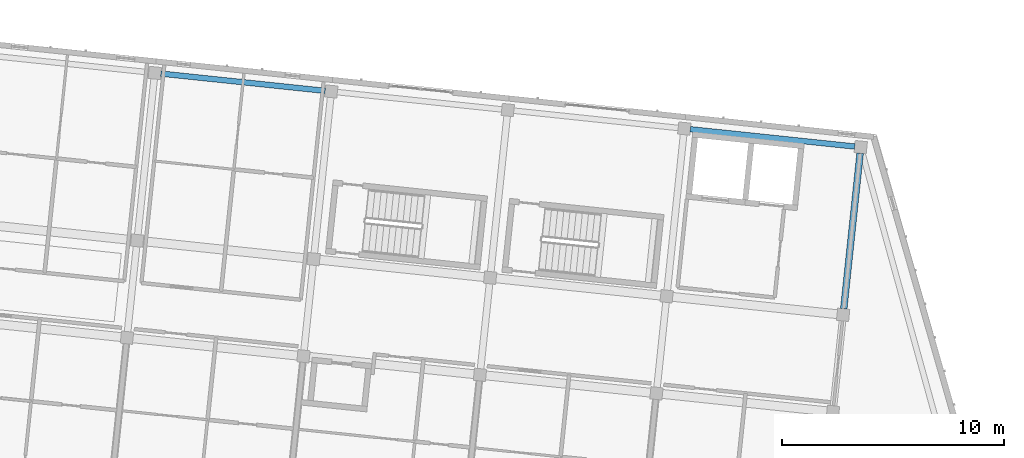
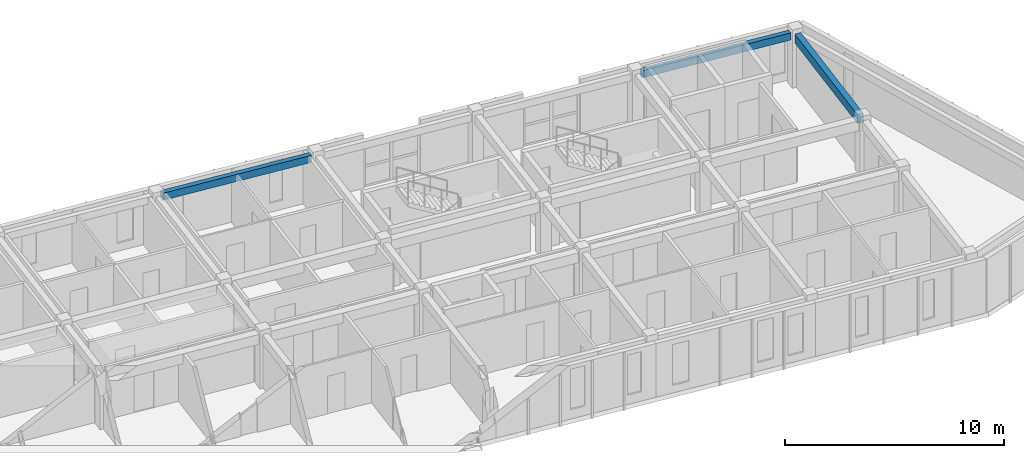
# One storey, part 63 of 127: 3 beams.
"""IFC4 building model written with IfcOpenShell, lengths in metres."""

import ifcopenshell
import ifcopenshell.guid

model = None  # the IFC model being written
_history = None  # IfcOwnerHistory: only IFC2X3 demands one
_inside = {}  # id of a spatial element -> (the spatial element, [elements in it])
_under = {}  # id of a project, library or spatial element -> (it, [spatial elements below it])
_declared = {}  # id of a project -> (the project, [libraries it declares])
_typed = {}  # id of a type object -> (the type object, [elements of that type])
_made_of = {}  # id of a material, layer set ... -> (it, [elements and type objects made of it])


def new_model(schema):
    """Start an empty IFC model of exactly this schema.

    Asked for "IFC4X3", IfcOpenShell would pick the latest addendum, in which some entities
    have other attributes; the version numbers below select the first issue.
    IFC2X3 requires an IfcOwnerHistory on every rooted entity: one is made here for all.
    """
    global model, _history
    if schema == "IFC4X3":
        model = ifcopenshell.file(schema_version=(4, 3, 0, 0))
    else:
        model = ifcopenshell.file(schema=schema)
    _inside.clear()
    _under.clear()
    _declared.clear()
    _typed.clear()
    _made_of.clear()
    _history = None
    if model.schema == "IFC2X3":
        org = make("IfcOrganization", Name="unknown")
        user = make(
            "IfcPersonAndOrganization",
            ThePerson=make("IfcPerson", FamilyName="unknown"),
            TheOrganization=org,
        )
        app = make(
            "IfcApplication",
            ApplicationDeveloper=org,
            Version="unknown",
            ApplicationFullName="unknown",
            ApplicationIdentifier="unknown",
        )
        _history = make(
            "IfcOwnerHistory",
            OwningUser=user,
            OwningApplication=app,
            ChangeAction="ADDED",
            CreationDate=0,
        )
    return model


def make(cls, **values):
    """One entity of the class cls with the attributes given. An attribute that is None is left unset."""
    return model.create_entity(
        cls, **{name: value for name, value in values.items() if value is not None}
    )


def rooted(cls, **values):
    """An entity with a GlobalId (a new one), such as an element, a storey or a relation."""
    return make(cls, GlobalId=ifcopenshell.guid.new(), OwnerHistory=_history, **values)


def si_unit(unit_type, name, prefix=None):
    """IfcSIUnit, for example si_unit("LENGTHUNIT", "METRE", prefix="MILLI")."""
    return make("IfcSIUnit", UnitType=unit_type, Prefix=prefix, Name=name)


def assignment(units):
    """IfcUnitAssignment: the units of a project."""
    return None if units is None else make("IfcUnitAssignment", Units=units)


def point(xyz):
    """IfcCartesianPoint."""
    return None if xyz is None else make("IfcCartesianPoint", Coordinates=xyz)


def direction(xyz):
    """IfcDirection."""
    return None if xyz is None else make("IfcDirection", DirectionRatios=xyz)


def frame(location, z_axis=None, x_axis=None):
    """IfcAxis2Placement3D, a coordinate frame: its origin and axes. An axis left out is left unset."""
    return make(
        "IfcAxis2Placement3D",
        Location=point(location),
        Axis=direction(z_axis),
        RefDirection=direction(x_axis),
    )


def frame_2d(location, x_axis=None):
    """IfcAxis2Placement2D, a coordinate frame in the plane: its origin and x axis."""
    return make(
        "IfcAxis2Placement2D", Location=point(location), RefDirection=direction(x_axis)
    )


def origin():
    """The frame at (0, 0, 0) with its axes left unset."""
    return frame((0.0, 0.0, 0.0))


def origin_2d():
    """The frame at (0, 0) in the plane with its x axis left unset."""
    return frame_2d((0.0, 0.0))


def place(relative_to, where):
    """IfcLocalPlacement: puts the frame where relative to a parent placement (None: the world)."""
    return make(
        "IfcLocalPlacement", PlacementRelTo=relative_to, RelativePlacement=where
    )


def context(
    kind, dimensions, precision=None, world=None, true_north=None, identifier=None
):
    """IfcGeometricRepresentationContext, for example the 3D "Model" context."""
    return make(
        "IfcGeometricRepresentationContext",
        ContextIdentifier=identifier,
        ContextType=kind,
        CoordinateSpaceDimension=dimensions,
        Precision=precision,
        WorldCoordinateSystem=world,
        TrueNorth=true_north,
    )


def subcontext(parent, identifier, kind, view, scale=None):
    """IfcGeometricRepresentationSubContext, for example "Body" below "Model"."""
    return make(
        "IfcGeometricRepresentationSubContext",
        ContextIdentifier=identifier,
        ContextType=kind,
        ParentContext=parent,
        TargetScale=scale,
        TargetView=view,
    )


def project(units=None, contexts=None):
    """IfcProject with its units and contexts."""
    return rooted(
        "IfcProject",
        Name="project",
        RepresentationContexts=contexts,
        UnitsInContext=assignment(units),
    )


def spatial(cls, under=None, at=None, **own):
    """A site, building, storey or space (cls), placed at a placement, below another one or the project."""
    s = rooted(cls, ObjectPlacement=at, **own)
    if under is not None:
        _under.setdefault(under.id(), (under, []))[1].append(s)
    return s


def profile(cls, at=None, kind="AREA", **sizes):
    """A parametric profile (cls). Its sizes go by their IFC names, for example OverallWidth=200.0."""
    return make(cls, ProfileType=kind, Position=at, **sizes)


def rectangle(**sizes):
    """IfcRectangleProfileDef."""
    return profile("IfcRectangleProfileDef", **sizes)


def extrude(swept, where, along, depth):
    """IfcExtrudedAreaSolid: the profile swept, set in the frame where, extruded along a direction by depth."""
    return make(
        "IfcExtrudedAreaSolid",
        SweptArea=swept,
        Position=where,
        ExtrudedDirection=direction(along),
        Depth=depth,
    )


def shape(context_of_items, identifier, shape_type, items):
    """IfcShapeRepresentation: the items that make up one representation, for example the "Body"."""
    return make(
        "IfcShapeRepresentation",
        ContextOfItems=context_of_items,
        RepresentationIdentifier=identifier,
        RepresentationType=shape_type,
        Items=items,
    )


def material(Name=None, Category=None):
    """IfcMaterial."""
    return make("IfcMaterial", Name=Name, Category=Category)


def material_profile(
    of_material, cross_section, Name=None, Category=None, Priority=None
):
    """IfcMaterialProfile: a cross section and its material."""
    return make(
        "IfcMaterialProfile",
        Name=Name,
        Material=of_material,
        Profile=cross_section,
        Priority=Priority,
        Category=Category,
    )


def profile_set(profiles, Name=None, composite=None):
    """IfcMaterialProfileSet."""
    return make(
        "IfcMaterialProfileSet",
        Name=Name,
        MaterialProfiles=profiles,
        CompositeProfile=composite,
    )


def made_of(thing, what):
    """Note that an element or type object is made of a material, layer set ...; save() writes the relation."""
    if what is not None:
        _made_of.setdefault(what.id(), (what, []))[1].append(thing)
    return thing


def type_object(cls, material=None, **own):
    """A type object (cls), such as IfcWallType, which elements share."""
    return made_of(rooted(cls, **own), material)


def element(
    cls,
    number,
    at=None,
    inside=None,
    cuts=None,
    type_object=None,
    material=None,
    context=None,
    identifier="Body",
    shape_type=None,
    held_by="IfcProductDefinitionShape",
    body=None,
    shapes=None,
    **own,
):
    """One element of the class cls, such as IfcWall. Its Tag is "e" and its number.

    at: its placement. inside: the storey or other place that contains it. cuts: it is an
    opening in that element (IfcRelVoidsElement). A single representation is given by context,
    identifier, shape_type and body (its items); several are given by shapes. held_by: the class
    of the entity that holds the representations. save() writes the other relations.
    """
    e = rooted(cls, Tag="e%d" % number, ObjectPlacement=at, **own)
    if body is not None:
        shapes = [shape(context, identifier, shape_type, body)]
    if shapes is not None:
        e.Representation = make(held_by, Representations=shapes)
    if inside is not None:
        _inside.setdefault(inside.id(), (inside, []))[1].append(e)
    if cuts is not None:
        rooted(
            "IfcRelVoidsElement", RelatingBuildingElement=cuts, RelatedOpeningElement=e
        )
    if type_object is not None:
        _typed.setdefault(type_object.id(), (type_object, []))[1].append(e)
    return made_of(e, material)


def aggregate(whole, parts):
    """IfcRelAggregates: a whole, such as a stair, and the parts it consists of."""
    return rooted("IfcRelAggregates", RelatingObject=whole, RelatedObjects=parts)


def save(model, path):
    """Write the relations noted so far, then the file.

    IfcRelAggregates (storeys below a building ...), IfcRelContainedInSpatialStructure (elements
    in a storey), IfcRelDefinesByType, IfcRelAssociatesMaterial and IfcRelDeclares: one each for
    every whole, place, type object, material and project.
    """
    for whole, parts in _under.values():
        aggregate(whole, parts)
    for where, things in _inside.values():
        rooted(
            "IfcRelContainedInSpatialStructure",
            RelatedElements=things,
            RelatingStructure=where,
        )
    for kind, things in _typed.values():
        rooted("IfcRelDefinesByType", RelatedObjects=things, RelatingType=kind)
    for what, things in _made_of.values():
        rooted("IfcRelAssociatesMaterial", RelatedObjects=things, RelatingMaterial=what)
    for by, libraries in _declared.values():
        rooted("IfcRelDeclares", RelatingContext=by, RelatedDefinitions=libraries)
    model.write(path)


model = new_model("IFC4")

# Units and contexts
model_context = context("Model", 3, precision=1e-05, world=origin(), true_north=direction((0.0, 1.0)))
body_context = subcontext(model_context, "Body", "Model", "MODEL_VIEW")
ifc_project = project(units=[si_unit("LENGTHUNIT", "METRE"), si_unit("AREAUNIT", "SQUARE_METRE"), si_unit("VOLUMEUNIT", "CUBIC_METRE"), si_unit("PLANEANGLEUNIT", "RADIAN"), si_unit("MASSUNIT", "GRAM", prefix="KILO")], contexts=[model_context])

# Site, building, storey
site_placement = place(None, origin())
site = spatial("IfcSite", under=ifc_project, at=site_placement, CompositionType="ELEMENT")
building_placement = place(site_placement, origin())
building = spatial("IfcBuilding", under=site, at=building_placement, Name="Kestramere Prow Commons", CompositionType="ELEMENT")
storey_placement = place(building_placement, frame((0.0, 0.0, 8.39990234375)))
storey = spatial("IfcBuildingStorey", under=building, at=storey_placement, Name="L02", CompositionType="ELEMENT", Elevation=8.39990234375)

# Beams
ifc_material = material(Name="Precast concrete C40/50", Category="concrete")
ifc_material_profile_1 = material_profile(ifc_material, rectangle(XDim=0.300048828125, YDim=0.5, at=origin_2d()), Name="PC-BM 300x500")
ifc_profile_set_1 = profile_set([ifc_material_profile_1], Name="Precast concrete C40/50")
beam_type_1 = type_object("IfcBeamType", Name="BM-TIE-01 PC-BM 300x500", PredefinedType="BEAM", material=ifc_profile_set_1)
beam_placement = place(storey_placement, frame((159.02001953125, 101.990478515625, 2.75), z_axis=(0.104549582151, 0.994519675458, 0.0), x_axis=(-0.994519675458, 0.104549582151, 0.0)))
element("IfcBeam", 1, at=beam_placement, inside=storey, type_object=beam_type_1, Name="Block B L02 Transverse Beam 7-3", PredefinedType="BEAM", context=body_context, shape_type="SweptSolid", body=[
    extrude(rectangle(XDim=0.300048828125, YDim=0.5, at=origin_2d()), origin(), (0.0, 0.0, 1.0), 7.0498046875),
])
ifc_material_profile_2 = material_profile(ifc_material, rectangle(XDim=0.25, YDim=0.39990234375, at=origin_2d()), Name="PC-SP 250x400")
ifc_profile_set_2 = profile_set([ifc_material_profile_2], Name="Precast concrete C40/50")
beam_type_2 = type_object("IfcBeamType", Name="SP-EXT-01 PC-SP 250x400", PredefinedType="SPANDREL", material=ifc_profile_set_2)
for number, where, z_axis, x_axis, name in (
    (2, (128.234619140625, 112.59130859375, 2.800048828125), (0.994524291149, -0.104505666419, 0.0), (0.104505666419, 0.994524291149, 0.0), "Block B L02 Longitudinal Beam 4-3"),
    (3, (152.10302734375, 110.082763671875, 2.800048828125), (0.994520884665, -0.104538079019, 0.0), (0.104538079019, 0.994520884665, 0.0), "Block B L02 Longitudinal Beam 4-6"),
):
    element("IfcBeam", number, at=place(storey_placement, frame(where, z_axis=z_axis, x_axis=x_axis)), inside=storey, type_object=beam_type_2, Name=name, PredefinedType="SPANDREL", context=body_context, shape_type="SweptSolid", body=[
        extrude(rectangle(XDim=0.25, YDim=0.39990234375, at=origin_2d()), origin(), (0.0, 0.0, 1.0), 7.449951171875),
    ])

save(model, "model.ifc")
